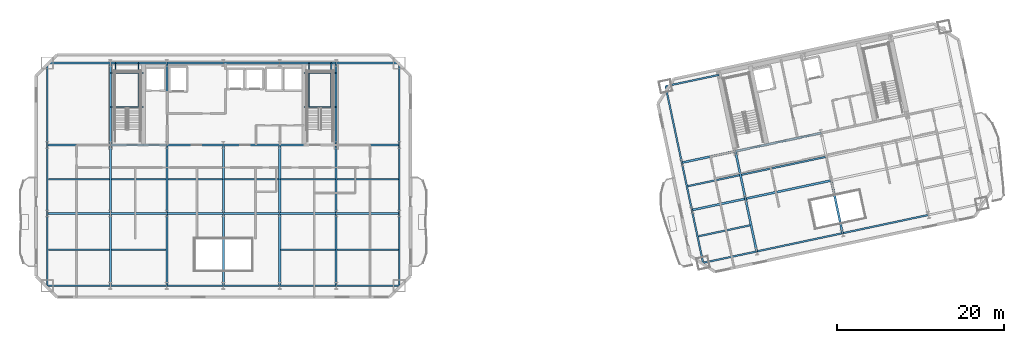
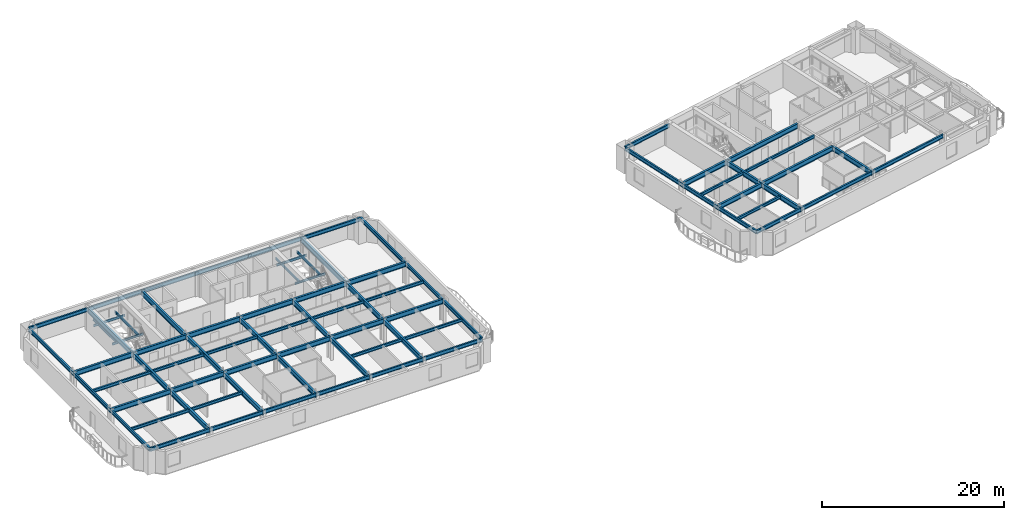
# One storey, part 3 of 13: 78 beams.
"""IFC4 building model written with IfcOpenShell, lengths in metres."""

import ifcopenshell
import ifcopenshell.guid

model = None  # the IFC model being written
_history = None  # IfcOwnerHistory: only IFC2X3 demands one
_inside = {}  # id of a spatial element -> (the spatial element, [elements in it])
_under = {}  # id of a project, library or spatial element -> (it, [spatial elements below it])
_declared = {}  # id of a project -> (the project, [libraries it declares])
_typed = {}  # id of a type object -> (the type object, [elements of that type])
_made_of = {}  # id of a material, layer set ... -> (it, [elements and type objects made of it])


def new_model(schema):
    """Start an empty IFC model of exactly this schema.

    Asked for "IFC4X3", IfcOpenShell would pick the latest addendum, in which some entities
    have other attributes; the version numbers below select the first issue.
    IFC2X3 requires an IfcOwnerHistory on every rooted entity: one is made here for all.
    """
    global model, _history
    if schema == "IFC4X3":
        model = ifcopenshell.file(schema_version=(4, 3, 0, 0))
    else:
        model = ifcopenshell.file(schema=schema)
    _inside.clear()
    _under.clear()
    _declared.clear()
    _typed.clear()
    _made_of.clear()
    _history = None
    if model.schema == "IFC2X3":
        org = make("IfcOrganization", Name="unknown")
        user = make(
            "IfcPersonAndOrganization",
            ThePerson=make("IfcPerson", FamilyName="unknown"),
            TheOrganization=org,
        )
        app = make(
            "IfcApplication",
            ApplicationDeveloper=org,
            Version="unknown",
            ApplicationFullName="unknown",
            ApplicationIdentifier="unknown",
        )
        _history = make(
            "IfcOwnerHistory",
            OwningUser=user,
            OwningApplication=app,
            ChangeAction="ADDED",
            CreationDate=0,
        )
    return model


def make(cls, **values):
    """One entity of the class cls with the attributes given. An attribute that is None is left unset."""
    return model.create_entity(
        cls, **{name: value for name, value in values.items() if value is not None}
    )


def rooted(cls, **values):
    """An entity with a GlobalId (a new one), such as an element, a storey or a relation."""
    return make(cls, GlobalId=ifcopenshell.guid.new(), OwnerHistory=_history, **values)


def si_unit(unit_type, name, prefix=None):
    """IfcSIUnit, for example si_unit("LENGTHUNIT", "METRE", prefix="MILLI")."""
    return make("IfcSIUnit", UnitType=unit_type, Prefix=prefix, Name=name)


def assignment(units):
    """IfcUnitAssignment: the units of a project."""
    return None if units is None else make("IfcUnitAssignment", Units=units)


def point(xyz):
    """IfcCartesianPoint."""
    return None if xyz is None else make("IfcCartesianPoint", Coordinates=xyz)


def direction(xyz):
    """IfcDirection."""
    return None if xyz is None else make("IfcDirection", DirectionRatios=xyz)


def frame(location, z_axis=None, x_axis=None):
    """IfcAxis2Placement3D, a coordinate frame: its origin and axes. An axis left out is left unset."""
    return make(
        "IfcAxis2Placement3D",
        Location=point(location),
        Axis=direction(z_axis),
        RefDirection=direction(x_axis),
    )


def frame_2d(location, x_axis=None):
    """IfcAxis2Placement2D, a coordinate frame in the plane: its origin and x axis."""
    return make(
        "IfcAxis2Placement2D", Location=point(location), RefDirection=direction(x_axis)
    )


def origin():
    """The frame at (0, 0, 0) with its axes left unset."""
    return frame((0.0, 0.0, 0.0))


def origin_2d():
    """The frame at (0, 0) in the plane with its x axis left unset."""
    return frame_2d((0.0, 0.0))


def place(relative_to, where):
    """IfcLocalPlacement: puts the frame where relative to a parent placement (None: the world)."""
    return make(
        "IfcLocalPlacement", PlacementRelTo=relative_to, RelativePlacement=where
    )


def context(
    kind, dimensions, precision=None, world=None, true_north=None, identifier=None
):
    """IfcGeometricRepresentationContext, for example the 3D "Model" context."""
    return make(
        "IfcGeometricRepresentationContext",
        ContextIdentifier=identifier,
        ContextType=kind,
        CoordinateSpaceDimension=dimensions,
        Precision=precision,
        WorldCoordinateSystem=world,
        TrueNorth=true_north,
    )


def subcontext(parent, identifier, kind, view, scale=None):
    """IfcGeometricRepresentationSubContext, for example "Body" below "Model"."""
    return make(
        "IfcGeometricRepresentationSubContext",
        ContextIdentifier=identifier,
        ContextType=kind,
        ParentContext=parent,
        TargetScale=scale,
        TargetView=view,
    )


def project(units=None, contexts=None):
    """IfcProject with its units and contexts."""
    return rooted(
        "IfcProject",
        Name="project",
        RepresentationContexts=contexts,
        UnitsInContext=assignment(units),
    )


def spatial(cls, under=None, at=None, **own):
    """A site, building, storey or space (cls), placed at a placement, below another one or the project."""
    s = rooted(cls, ObjectPlacement=at, **own)
    if under is not None:
        _under.setdefault(under.id(), (under, []))[1].append(s)
    return s


def profile(cls, at=None, kind="AREA", **sizes):
    """A parametric profile (cls). Its sizes go by their IFC names, for example OverallWidth=200.0."""
    return make(cls, ProfileType=kind, Position=at, **sizes)


def i_section(**sizes):
    """IfcIShapeProfileDef."""
    return profile("IfcIShapeProfileDef", **sizes)


def extrude(swept, where, along, depth):
    """IfcExtrudedAreaSolid: the profile swept, set in the frame where, extruded along a direction by depth."""
    return make(
        "IfcExtrudedAreaSolid",
        SweptArea=swept,
        Position=where,
        ExtrudedDirection=direction(along),
        Depth=depth,
    )


def shape(context_of_items, identifier, shape_type, items):
    """IfcShapeRepresentation: the items that make up one representation, for example the "Body"."""
    return make(
        "IfcShapeRepresentation",
        ContextOfItems=context_of_items,
        RepresentationIdentifier=identifier,
        RepresentationType=shape_type,
        Items=items,
    )


def material(Name=None, Category=None):
    """IfcMaterial."""
    return make("IfcMaterial", Name=Name, Category=Category)


def material_profile(
    of_material, cross_section, Name=None, Category=None, Priority=None
):
    """IfcMaterialProfile: a cross section and its material."""
    return make(
        "IfcMaterialProfile",
        Name=Name,
        Material=of_material,
        Profile=cross_section,
        Priority=Priority,
        Category=Category,
    )


def profile_set(profiles, Name=None, composite=None):
    """IfcMaterialProfileSet."""
    return make(
        "IfcMaterialProfileSet",
        Name=Name,
        MaterialProfiles=profiles,
        CompositeProfile=composite,
    )


def made_of(thing, what):
    """Note that an element or type object is made of a material, layer set ...; save() writes the relation."""
    if what is not None:
        _made_of.setdefault(what.id(), (what, []))[1].append(thing)
    return thing


def type_object(cls, material=None, **own):
    """A type object (cls), such as IfcWallType, which elements share."""
    return made_of(rooted(cls, **own), material)


def element(
    cls,
    number,
    at=None,
    inside=None,
    cuts=None,
    type_object=None,
    material=None,
    context=None,
    identifier="Body",
    shape_type=None,
    held_by="IfcProductDefinitionShape",
    body=None,
    shapes=None,
    **own,
):
    """One element of the class cls, such as IfcWall. Its Tag is "e" and its number.

    at: its placement. inside: the storey or other place that contains it. cuts: it is an
    opening in that element (IfcRelVoidsElement). A single representation is given by context,
    identifier, shape_type and body (its items); several are given by shapes. held_by: the class
    of the entity that holds the representations. save() writes the other relations.
    """
    e = rooted(cls, Tag="e%d" % number, ObjectPlacement=at, **own)
    if body is not None:
        shapes = [shape(context, identifier, shape_type, body)]
    if shapes is not None:
        e.Representation = make(held_by, Representations=shapes)
    if inside is not None:
        _inside.setdefault(inside.id(), (inside, []))[1].append(e)
    if cuts is not None:
        rooted(
            "IfcRelVoidsElement", RelatingBuildingElement=cuts, RelatedOpeningElement=e
        )
    if type_object is not None:
        _typed.setdefault(type_object.id(), (type_object, []))[1].append(e)
    return made_of(e, material)


def aggregate(whole, parts):
    """IfcRelAggregates: a whole, such as a stair, and the parts it consists of."""
    return rooted("IfcRelAggregates", RelatingObject=whole, RelatedObjects=parts)


def save(model, path):
    """Write the relations noted so far, then the file.

    IfcRelAggregates (storeys below a building ...), IfcRelContainedInSpatialStructure (elements
    in a storey), IfcRelDefinesByType, IfcRelAssociatesMaterial and IfcRelDeclares: one each for
    every whole, place, type object, material and project.
    """
    for whole, parts in _under.values():
        aggregate(whole, parts)
    for where, things in _inside.values():
        rooted(
            "IfcRelContainedInSpatialStructure",
            RelatedElements=things,
            RelatingStructure=where,
        )
    for kind, things in _typed.values():
        rooted("IfcRelDefinesByType", RelatedObjects=things, RelatingType=kind)
    for what, things in _made_of.values():
        rooted("IfcRelAssociatesMaterial", RelatedObjects=things, RelatingMaterial=what)
    for by, libraries in _declared.values():
        rooted("IfcRelDeclares", RelatingContext=by, RelatedDefinitions=libraries)
    model.write(path)


model = new_model("IFC4")

# Units and contexts
model_context = context("Model", 3, precision=1e-05, world=origin(), true_north=direction((0.0, 1.0)))
body_context = subcontext(model_context, "Body", "Model", "MODEL_VIEW")
ifc_project = project(units=[si_unit("LENGTHUNIT", "METRE"), si_unit("AREAUNIT", "SQUARE_METRE"), si_unit("VOLUMEUNIT", "CUBIC_METRE"), si_unit("PLANEANGLEUNIT", "RADIAN"), si_unit("MASSUNIT", "GRAM", prefix="KILO")], contexts=[model_context])

# Site, building, storey
site_placement = place(None, origin())
site = spatial("IfcSite", under=ifc_project, at=site_placement, CompositionType="ELEMENT")
building_placement = place(site_placement, origin())
building = spatial("IfcBuilding", under=site, at=building_placement, Name="Haevon Station Towers", CompositionType="ELEMENT")
storey_placement = place(building_placement, frame((0.0, 0.0, 126.300048828125)))
storey = spatial("IfcBuildingStorey", under=building, at=storey_placement, Name="L34", CompositionType="ELEMENT", Elevation=126.300048828125)

# Beams
ifc_material = material(Name="Steel S355", Category="steel")
ifc_material_profile_1 = material_profile(ifc_material, i_section(OverallWidth=0.25, OverallDepth=0.64990234375, WebThickness=0.012939453125, FlangeThickness=0.02197265625, at=origin_2d()), Name="H-650x250x13x22")
ifc_profile_set_1 = profile_set([ifc_material_profile_1], Name="Steel S355")
beam_type_1 = type_object("IfcBeamType", Name="BM-G650", PredefinedType="BEAM", material=ifc_profile_set_1)
beam_1_placement = place(storey_placement, frame((16.449951171875, 30.0, 2.724853515625), z_axis=(1.0, 0.0, 0.0), x_axis=(0.0, 1.0, 0.0)))
element("IfcBeam", 1, at=beam_1_placement, inside=storey, type_object=beam_type_1, Name="BM-T1U-L34-02-01", PredefinedType="BEAM", context=body_context, shape_type="SweptSolid", body=[
    extrude(i_section(OverallWidth=0.25, OverallDepth=0.64990234375, WebThickness=0.012939453125, FlangeThickness=0.02197265625, at=origin_2d()), origin(), (0.0, 0.0, 1.0), 7.550048828125),
])
for number, where, z_axis, x_axis, name in (
    (2, (24.0, 30.0, 2.724853515625), (1.0, 0.0, 0.0), (0.0, 1.0, 0.0), "BM-T1U-L34-02-02"),
    (3, (30.75, 30.0, 2.724853515625), (1.0, 0.0, 0.0), (0.0, 1.0, 0.0), "BM-T1U-L34-02-03"),
    (4, (37.5, 30.0, 2.724853515625), (1.0, 0.0, 0.0), (0.0, 1.0, 0.0), "BM-T1U-L34-02-04"),
    (5, (44.25, 30.0, 2.724853515625), (1.0, 0.0, 0.0), (0.0, 1.0, 0.0), "BM-T1U-L34-02-05"),
):
    element("IfcBeam", number, at=place(storey_placement, frame(where, z_axis=z_axis, x_axis=x_axis)), inside=storey, type_object=beam_type_1, Name=name, PredefinedType="BEAM", context=body_context, shape_type="SweptSolid", body=[
        extrude(i_section(OverallWidth=0.25, OverallDepth=0.64990234375, WebThickness=0.012939453125, FlangeThickness=0.02197265625, at=origin_2d()), origin(), (0.0, 0.0, 1.0), 6.75),
    ])
for number, where, z_axis, x_axis, name in (
    (6, (51.0, 30.0, 2.724853515625), (1.0, 0.0, 0.0), (0.0, 1.0, 0.0), "BM-T1U-L34-02-06"),
    (7, (16.449951171875, 38.199951171875, 2.724853515625), (1.0, 0.0, 0.0), (0.0, 1.0, 0.0), "BM-T1U-L34-03-01"),
):
    element("IfcBeam", number, at=place(storey_placement, frame(where, z_axis=z_axis, x_axis=x_axis)), inside=storey, type_object=beam_type_1, Name=name, PredefinedType="BEAM", context=body_context, shape_type="SweptSolid", body=[
        extrude(i_section(OverallWidth=0.25, OverallDepth=0.64990234375, WebThickness=0.012939453125, FlangeThickness=0.02197265625, at=origin_2d()), origin(), (0.0, 0.0, 1.0), 7.550048828125),
    ])
for number, where, z_axis, x_axis, name in (
    (8, (24.0, 38.199951171875, 2.724853515625), (1.0, 0.0, 0.0), (0.0, 1.0, 0.0), "BM-T1U-L34-03-02"),
    (9, (30.75, 38.199951171875, 2.724853515625), (1.0, 0.0, 0.0), (0.0, 1.0, 0.0), "BM-T1U-L34-03-03"),
    (10, (37.5, 38.199951171875, 2.724853515625), (1.0, 0.0, 0.0), (0.0, 1.0, 0.0), "BM-T1U-L34-03-04"),
    (11, (44.25, 38.199951171875, 2.724853515625), (1.0, 0.0, 0.0), (0.0, 1.0, 0.0), "BM-T1U-L34-03-05"),
):
    element("IfcBeam", number, at=place(storey_placement, frame(where, z_axis=z_axis, x_axis=x_axis)), inside=storey, type_object=beam_type_1, Name=name, PredefinedType="BEAM", context=body_context, shape_type="SweptSolid", body=[
        extrude(i_section(OverallWidth=0.25, OverallDepth=0.64990234375, WebThickness=0.012939453125, FlangeThickness=0.02197265625, at=origin_2d()), origin(), (0.0, 0.0, 1.0), 6.75),
    ])
beam_2_placement = place(storey_placement, frame((51.0, 38.199951171875, 2.724853515625), z_axis=(1.0, 0.0, 0.0), x_axis=(0.0, 1.0, 0.0)))
element("IfcBeam", 12, at=beam_2_placement, inside=storey, type_object=beam_type_1, Name="BM-T1U-L34-03-06", PredefinedType="BEAM", context=body_context, shape_type="SweptSolid", body=[
    extrude(i_section(OverallWidth=0.25, OverallDepth=0.64990234375, WebThickness=0.012939453125, FlangeThickness=0.02197265625, at=origin_2d()), origin(), (0.0, 0.0, 1.0), 7.550048828125),
])
beam_3_placement = place(storey_placement, frame((24.0, 21.35009765625, 2.724853515625), z_axis=(0.0, 1.0, 0.0), x_axis=(-1.0, 0.0, 0.0)))
element("IfcBeam", 13, at=beam_3_placement, inside=storey, type_object=beam_type_1, Name="BM-T1V-L34-02-01", PredefinedType="BEAM", context=body_context, shape_type="SweptSolid", body=[
    extrude(i_section(OverallWidth=0.25, OverallDepth=0.64990234375, WebThickness=0.012939453125, FlangeThickness=0.02197265625, at=origin_2d()), origin(), (0.0, 0.0, 1.0), 8.64990234375),
])
beam_4_placement = place(storey_placement, frame((24.0, 30.0, 2.724853515625), z_axis=(0.0, 1.0, 0.0), x_axis=(-1.0, 0.0, 0.0)))
element("IfcBeam", 14, at=beam_4_placement, inside=storey, type_object=beam_type_1, Name="BM-T1V-L34-02-02", PredefinedType="BEAM", context=body_context, shape_type="SweptSolid", body=[
    extrude(i_section(OverallWidth=0.25, OverallDepth=0.64990234375, WebThickness=0.012939453125, FlangeThickness=0.02197265625, at=origin_2d()), origin(), (0.0, 0.0, 1.0), 8.199951171875),
])
beam_5_placement = place(storey_placement, frame((24.0, 38.199951171875, 2.724853515625), z_axis=(0.0, 1.0, 0.0), x_axis=(-1.0, 0.0, 0.0)))
element("IfcBeam", 15, at=beam_5_placement, inside=storey, type_object=beam_type_1, Name="BM-T1V-L34-02-03", PredefinedType="BEAM", context=body_context, shape_type="SweptSolid", body=[
    extrude(i_section(OverallWidth=0.25, OverallDepth=0.64990234375, WebThickness=0.012939453125, FlangeThickness=0.02197265625, at=origin_2d()), origin(), (0.0, 0.0, 1.0), 9.800048828125),
])
beam_6_placement = place(storey_placement, frame((30.75, 21.35009765625, 2.724853515625), z_axis=(0.0, 1.0, 0.0), x_axis=(-1.0, 0.0, 0.0)))
element("IfcBeam", 16, at=beam_6_placement, inside=storey, type_object=beam_type_1, Name="BM-T1V-L34-03-01", PredefinedType="BEAM", context=body_context, shape_type="SweptSolid", body=[
    extrude(i_section(OverallWidth=0.25, OverallDepth=0.64990234375, WebThickness=0.012939453125, FlangeThickness=0.02197265625, at=origin_2d()), origin(), (0.0, 0.0, 1.0), 8.64990234375),
])
beam_7_placement = place(storey_placement, frame((30.75, 30.0, 2.724853515625), z_axis=(0.0, 1.0, 0.0), x_axis=(-1.0, 0.0, 0.0)))
element("IfcBeam", 17, at=beam_7_placement, inside=storey, type_object=beam_type_1, Name="BM-T1V-L34-03-02", PredefinedType="BEAM", context=body_context, shape_type="SweptSolid", body=[
    extrude(i_section(OverallWidth=0.25, OverallDepth=0.64990234375, WebThickness=0.012939453125, FlangeThickness=0.02197265625, at=origin_2d()), origin(), (0.0, 0.0, 1.0), 8.199951171875),
])
beam_8_placement = place(storey_placement, frame((30.75, 38.199951171875, 2.724853515625), z_axis=(0.0, 1.0, 0.0), x_axis=(-1.0, 0.0, 0.0)))
element("IfcBeam", 18, at=beam_8_placement, inside=storey, type_object=beam_type_1, Name="BM-T1V-L34-03-03", PredefinedType="BEAM", context=body_context, shape_type="SweptSolid", body=[
    extrude(i_section(OverallWidth=0.25, OverallDepth=0.64990234375, WebThickness=0.012939453125, FlangeThickness=0.02197265625, at=origin_2d()), origin(), (0.0, 0.0, 1.0), 9.800048828125),
])
beam_9_placement = place(storey_placement, frame((37.5, 21.35009765625, 2.724853515625), z_axis=(0.0, 1.0, 0.0), x_axis=(-1.0, 0.0, 0.0)))
element("IfcBeam", 19, at=beam_9_placement, inside=storey, type_object=beam_type_1, Name="BM-T1V-L34-04-01", PredefinedType="BEAM", context=body_context, shape_type="SweptSolid", body=[
    extrude(i_section(OverallWidth=0.25, OverallDepth=0.64990234375, WebThickness=0.012939453125, FlangeThickness=0.02197265625, at=origin_2d()), origin(), (0.0, 0.0, 1.0), 8.64990234375),
])
beam_10_placement = place(storey_placement, frame((37.5, 30.0, 2.724853515625), z_axis=(0.0, 1.0, 0.0), x_axis=(-1.0, 0.0, 0.0)))
element("IfcBeam", 20, at=beam_10_placement, inside=storey, type_object=beam_type_1, Name="BM-T1V-L34-04-02", PredefinedType="BEAM", context=body_context, shape_type="SweptSolid", body=[
    extrude(i_section(OverallWidth=0.25, OverallDepth=0.64990234375, WebThickness=0.012939453125, FlangeThickness=0.02197265625, at=origin_2d()), origin(), (0.0, 0.0, 1.0), 8.199951171875),
])
beam_11_placement = place(storey_placement, frame((44.25, 21.35009765625, 2.724853515625), z_axis=(0.0, 1.0, 0.0), x_axis=(-1.0, 0.0, 0.0)))
element("IfcBeam", 21, at=beam_11_placement, inside=storey, type_object=beam_type_1, Name="BM-T1V-L34-05-01", PredefinedType="BEAM", context=body_context, shape_type="SweptSolid", body=[
    extrude(i_section(OverallWidth=0.25, OverallDepth=0.64990234375, WebThickness=0.012939453125, FlangeThickness=0.02197265625, at=origin_2d()), origin(), (0.0, 0.0, 1.0), 8.64990234375),
])
beam_12_placement = place(storey_placement, frame((44.25, 30.0, 2.724853515625), z_axis=(0.0, 1.0, 0.0), x_axis=(-1.0, 0.0, 0.0)))
element("IfcBeam", 22, at=beam_12_placement, inside=storey, type_object=beam_type_1, Name="BM-T1V-L34-05-02", PredefinedType="BEAM", context=body_context, shape_type="SweptSolid", body=[
    extrude(i_section(OverallWidth=0.25, OverallDepth=0.64990234375, WebThickness=0.012939453125, FlangeThickness=0.02197265625, at=origin_2d()), origin(), (0.0, 0.0, 1.0), 8.199951171875),
])
beam_13_placement = place(storey_placement, frame((51.0, 21.35009765625, 2.724853515625), z_axis=(0.0, 1.0, 0.0), x_axis=(-1.0, 0.0, 0.0)))
element("IfcBeam", 23, at=beam_13_placement, inside=storey, type_object=beam_type_1, Name="BM-T1V-L34-06-01", PredefinedType="BEAM", context=body_context, shape_type="SweptSolid", body=[
    extrude(i_section(OverallWidth=0.25, OverallDepth=0.64990234375, WebThickness=0.012939453125, FlangeThickness=0.02197265625, at=origin_2d()), origin(), (0.0, 0.0, 1.0), 8.64990234375),
])
beam_14_placement = place(storey_placement, frame((51.0, 30.0, 2.724853515625), z_axis=(0.0, 1.0, 0.0), x_axis=(-1.0, 0.0, 0.0)))
element("IfcBeam", 24, at=beam_14_placement, inside=storey, type_object=beam_type_1, Name="BM-T1V-L34-06-02", PredefinedType="BEAM", context=body_context, shape_type="SweptSolid", body=[
    extrude(i_section(OverallWidth=0.25, OverallDepth=0.64990234375, WebThickness=0.012939453125, FlangeThickness=0.02197265625, at=origin_2d()), origin(), (0.0, 0.0, 1.0), 8.199951171875),
])
beam_15_placement = place(storey_placement, frame((51.0, 38.199951171875, 2.724853515625), z_axis=(0.0, 1.0, 0.0), x_axis=(-1.0, 0.0, 0.0)))
element("IfcBeam", 25, at=beam_15_placement, inside=storey, type_object=beam_type_1, Name="BM-T1V-L34-06-03", PredefinedType="BEAM", context=body_context, shape_type="SweptSolid", body=[
    extrude(i_section(OverallWidth=0.25, OverallDepth=0.64990234375, WebThickness=0.012939453125, FlangeThickness=0.02197265625, at=origin_2d()), origin(), (0.0, 0.0, 1.0), 9.800048828125),
])
beam_16_placement = place(storey_placement, frame((93.55126953125, 30.4072265625, 2.724853515625), z_axis=(0.978148524343, 0.207907345532, 0.0), x_axis=(-0.207907345532, 0.978148524343, 0.0)))
element("IfcBeam", 26, at=beam_16_placement, inside=storey, type_object=beam_type_1, Name="BM-T2U-L34-02-01", PredefinedType="BEAM", context=body_context, shape_type="SweptSolid", body=[
    extrude(i_section(OverallWidth=0.25, OverallDepth=0.64990234375, WebThickness=0.012939453125, FlangeThickness=0.02197265625, at=origin_2d()), origin(), (0.0, 0.0, 1.0), 6.550048828125),
])
beam_17_placement = place(storey_placement, frame((99.958251953125, 31.76904296875, 2.724853515625), z_axis=(0.978146794194, 0.207915485254, 0.0), x_axis=(-0.207915485254, 0.978146794194, 0.0)))
element("IfcBeam", 27, at=beam_17_placement, inside=storey, type_object=beam_type_1, Name="BM-T2U-L34-02-02", PredefinedType="BEAM", context=body_context, shape_type="SweptSolid", body=[
    extrude(i_section(OverallWidth=0.25, OverallDepth=0.64990234375, WebThickness=0.012939453125, FlangeThickness=0.02197265625, at=origin_2d()), origin(), (0.0, 0.0, 1.0), 10.5),
])
beam_18_placement = place(storey_placement, frame((92.345458984375, 36.08056640625, 2.724853515625), z_axis=(0.978148524343, 0.207907345532, 0.0), x_axis=(-0.207907345532, 0.978148524343, 0.0)))
element("IfcBeam", 28, at=beam_18_placement, inside=storey, type_object=beam_type_1, Name="BM-T2U-L34-03-01", PredefinedType="BEAM", context=body_context, shape_type="SweptSolid", body=[
    extrude(i_section(OverallWidth=0.25, OverallDepth=0.64990234375, WebThickness=0.012939453125, FlangeThickness=0.02197265625, at=origin_2d()), origin(), (0.0, 0.0, 1.0), 6.550048828125),
])
beam_19_placement = place(storey_placement, frame((98.75244140625, 37.4423828125, 2.724853515625), z_axis=(0.978146794194, 0.207915485254, 0.0), x_axis=(-0.207915485254, 0.978146794194, 0.0)))
element("IfcBeam", 29, at=beam_19_placement, inside=storey, type_object=beam_type_1, Name="BM-T2U-L34-03-02", PredefinedType="BEAM", context=body_context, shape_type="SweptSolid", body=[
    extrude(i_section(OverallWidth=0.25, OverallDepth=0.64990234375, WebThickness=0.012939453125, FlangeThickness=0.02197265625, at=origin_2d()), origin(), (0.0, 0.0, 1.0), 10.5),
])
beam_20_placement = place(storey_placement, frame((101.29931640625, 25.460205078125, 2.724853515625), z_axis=(-0.207923493292, 0.978145091966, 0.0), x_axis=(-0.978145091966, -0.207923493292, 0.0)))
element("IfcBeam", 30, at=beam_20_placement, inside=storey, type_object=beam_type_1, Name="BM-T2V-L34-02-01", PredefinedType="BEAM", context=body_context, shape_type="SweptSolid", body=[
    extrude(i_section(OverallWidth=0.25, OverallDepth=0.64990234375, WebThickness=0.012939453125, FlangeThickness=0.02197265625, at=origin_2d()), origin(), (0.0, 0.0, 1.0), 6.44970703125),
])
beam_21_placement = place(storey_placement, frame((99.958251953125, 31.76904296875, 2.724853515625), z_axis=(-0.207896009217, 0.97815093383, 0.0), x_axis=(-0.97815093383, -0.207896009217, 0.0)))
element("IfcBeam", 31, at=beam_21_placement, inside=storey, type_object=beam_type_1, Name="BM-T2V-L34-02-02", PredefinedType="BEAM", context=body_context, shape_type="SweptSolid", body=[
    extrude(i_section(OverallWidth=0.25, OverallDepth=0.64990234375, WebThickness=0.012939453125, FlangeThickness=0.02197265625, at=origin_2d()), origin(), (0.0, 0.0, 1.0), 5.800048828125),
])
beam_22_placement = place(storey_placement, frame((111.56982421875, 27.64306640625, 2.724853515625), z_axis=(-0.207915795165, 0.978146728319, 0.0), x_axis=(-0.978146728319, -0.207915795165, 0.0)))
element("IfcBeam", 32, at=beam_22_placement, inside=storey, type_object=beam_type_1, Name="BM-T2V-L34-03-01", PredefinedType="BEAM", context=body_context, shape_type="SweptSolid", body=[
    extrude(i_section(OverallWidth=0.25, OverallDepth=0.64990234375, WebThickness=0.012939453125, FlangeThickness=0.02197265625, at=origin_2d()), origin(), (0.0, 0.0, 1.0), 6.449951171875),
])
ifc_material_profile_2 = material_profile(ifc_material, i_section(OverallWidth=0.199951171875, OverallDepth=0.39990234375, WebThickness=0.008056640625, FlangeThickness=0.012939453125, at=origin_2d()), Name="H-400x200x8x13")
ifc_profile_set_2 = profile_set([ifc_material_profile_2], Name="Steel S355")
beam_type_2 = type_object("IfcBeamType", Name="BM-J400", PredefinedType="JOIST", material=ifc_profile_set_2)
beam_23_placement = place(storey_placement, frame((16.56005859375, 25.675048828125, 2.849853515625), z_axis=(1.0, 0.0, 0.0), x_axis=(0.0, 1.0, 0.0)))
element("IfcBeam", 33, at=beam_23_placement, inside=storey, type_object=beam_type_2, Name="BM-T1J-L34-01-01", PredefinedType="JOIST", context=body_context, shape_type="SweptSolid", body=[
    extrude(i_section(OverallWidth=0.199951171875, OverallDepth=0.39990234375, WebThickness=0.008056640625, FlangeThickness=0.012939453125, at=origin_2d()), origin(), (0.0, 0.0, 1.0), 7.329833984375),
])
for number, where, z_axis, x_axis, name in (
    (34, (24.110107421875, 25.675048828125, 2.849853515625), (1.0, 0.0, 0.0), (0.0, 1.0, 0.0), "BM-T1J-L34-01-02"),
    (35, (44.360107421875, 25.675048828125, 2.849853515625), (1.0, 0.0, 0.0), (0.0, 1.0, 0.0), "BM-T1J-L34-01-05"),
):
    element("IfcBeam", number, at=place(storey_placement, frame(where, z_axis=z_axis, x_axis=x_axis)), inside=storey, type_object=beam_type_2, Name=name, PredefinedType="JOIST", context=body_context, shape_type="SweptSolid", body=[
        extrude(i_section(OverallWidth=0.199951171875, OverallDepth=0.39990234375, WebThickness=0.008056640625, FlangeThickness=0.012939453125, at=origin_2d()), origin(), (0.0, 0.0, 1.0), 6.52978515625),
    ])
for number, where, z_axis, x_axis, name in (
    (36, (51.110107421875, 25.675048828125, 2.849853515625), (1.0, 0.0, 0.0), (0.0, 1.0, 0.0), "BM-T1J-L34-01-06"),
    (37, (16.56005859375, 34.10009765625, 2.849853515625), (1.0, 0.0, 0.0), (0.0, 1.0, 0.0), "BM-T1J-L34-02-01"),
):
    element("IfcBeam", number, at=place(storey_placement, frame(where, z_axis=z_axis, x_axis=x_axis)), inside=storey, type_object=beam_type_2, Name=name, PredefinedType="JOIST", context=body_context, shape_type="SweptSolid", body=[
        extrude(i_section(OverallWidth=0.199951171875, OverallDepth=0.39990234375, WebThickness=0.008056640625, FlangeThickness=0.012939453125, at=origin_2d()), origin(), (0.0, 0.0, 1.0), 7.329833984375),
    ])
for number, where, z_axis, x_axis, name in (
    (38, (24.110107421875, 34.10009765625, 2.849853515625), (1.0, 0.0, 0.0), (0.0, 1.0, 0.0), "BM-T1J-L34-02-02"),
    (39, (30.860107421875, 34.10009765625, 2.849853515625), (1.0, 0.0, 0.0), (0.0, 1.0, 0.0), "BM-T1J-L34-02-03"),
    (40, (37.610107421875, 34.10009765625, 2.849853515625), (1.0, 0.0, 0.0), (0.0, 1.0, 0.0), "BM-T1J-L34-02-04"),
    (41, (44.360107421875, 34.10009765625, 2.849853515625), (1.0, 0.0, 0.0), (0.0, 1.0, 0.0), "BM-T1J-L34-02-05"),
):
    element("IfcBeam", number, at=place(storey_placement, frame(where, z_axis=z_axis, x_axis=x_axis)), inside=storey, type_object=beam_type_2, Name=name, PredefinedType="JOIST", context=body_context, shape_type="SweptSolid", body=[
        extrude(i_section(OverallWidth=0.199951171875, OverallDepth=0.39990234375, WebThickness=0.008056640625, FlangeThickness=0.012939453125, at=origin_2d()), origin(), (0.0, 0.0, 1.0), 6.52978515625),
    ])
beam_24_placement = place(storey_placement, frame((51.110107421875, 34.10009765625, 2.849853515625), z_axis=(1.0, 0.0, 0.0), x_axis=(0.0, 1.0, 0.0)))
element("IfcBeam", 42, at=beam_24_placement, inside=storey, type_object=beam_type_2, Name="BM-T1J-L34-02-06", PredefinedType="JOIST", context=body_context, shape_type="SweptSolid", body=[
    extrude(i_section(OverallWidth=0.199951171875, OverallDepth=0.39990234375, WebThickness=0.008056640625, FlangeThickness=0.012939453125, at=origin_2d()), origin(), (0.0, 0.0, 1.0), 7.329833984375),
])
beam_25_placement = place(storey_placement, frame((94.32958984375, 27.275634765625, 2.849853515625), z_axis=(0.978144831517, 0.207924718533, 0.0), x_axis=(-0.207924718533, 0.978144831517, 0.0)))
element("IfcBeam", 43, at=beam_25_placement, inside=storey, type_object=beam_type_2, Name="BM-T2J-L34-01-01", PredefinedType="JOIST", context=body_context, shape_type="SweptSolid", body=[
    extrude(i_section(OverallWidth=0.199951171875, OverallDepth=0.39990234375, WebThickness=0.008056640625, FlangeThickness=0.012939453125, at=origin_2d()), origin(), (0.0, 0.0, 1.0), 6.330078125),
])
beam_26_placement = place(storey_placement, frame((93.055908203125, 33.266845703125, 2.849853515625), z_axis=(0.978146498858, 0.207916874669, 0.0), x_axis=(-0.207916874669, 0.978146498858, 0.0)))
element("IfcBeam", 44, at=beam_26_placement, inside=storey, type_object=beam_type_2, Name="BM-T2J-L34-02-01", PredefinedType="JOIST", context=body_context, shape_type="SweptSolid", body=[
    extrude(i_section(OverallWidth=0.199951171875, OverallDepth=0.39990234375, WebThickness=0.008056640625, FlangeThickness=0.012939453125, at=origin_2d()), origin(), (0.0, 0.0, 1.0), 6.330322265625),
])
beam_27_placement = place(storey_placement, frame((99.462890625, 34.628662109375, 2.849853515625), z_axis=(0.978150339653, 0.207898804801, 0.0), x_axis=(-0.207898804801, 0.978150339653, 0.0)))
element("IfcBeam", 45, at=beam_27_placement, inside=storey, type_object=beam_type_2, Name="BM-T2J-L34-02-02", PredefinedType="JOIST", context=body_context, shape_type="SweptSolid", body=[
    extrude(i_section(OverallWidth=0.199951171875, OverallDepth=0.39990234375, WebThickness=0.008056640625, FlangeThickness=0.012939453125, at=origin_2d()), origin(), (0.0, 0.0, 1.0), 10.280029296875),
])
ifc_material_profile_3 = material_profile(ifc_material, i_section(OverallWidth=0.14990234375, OverallDepth=0.300048828125, WebThickness=0.006591796875, FlangeThickness=0.009033203125, at=origin_2d()), Name="H-300x150x6.5x9")
ifc_profile_set_3 = profile_set([ifc_material_profile_3], Name="Steel S355")
beam_type_3 = type_object("IfcBeamType", Name="BM-LIN300", PredefinedType="LINTEL", material=ifc_profile_set_3)
for number, where, z_axis, x_axis, name in (
    (46, (24.0, 42.743896484375, 1.300048828125), (1.0, 0.0, 0.0), (0.0, 1.0, 0.0), "BM-ST1L-L34-1-S"),
    (47, (24.0, 46.820068359375, 1.300048828125), (1.0, 0.0, 0.0), (0.0, 1.0, 0.0), "BM-ST1L-L34-1-N"),
):
    element("IfcBeam", number, at=place(storey_placement, frame(where, z_axis=z_axis, x_axis=x_axis)), inside=storey, type_object=beam_type_3, Name=name, PredefinedType="LINTEL", context=body_context, shape_type="SweptSolid", body=[
        extrude(i_section(OverallWidth=0.14990234375, OverallDepth=0.300048828125, WebThickness=0.006591796875, FlangeThickness=0.009033203125, at=origin_2d()), origin(), (0.0, 0.0, 1.0), 3.949951171875),
    ])
for number, where, z_axis, x_axis, name in (
    (48, (24.60009765625, 42.743896484375, 1.300048828125), (0.0, 1.0, 0.0), (-1.0, 0.0, 0.0), "BM-ST1L-L34-1-W"),
    (49, (27.35009765625, 42.743896484375, 1.300048828125), (0.0, 1.0, 0.0), (-1.0, 0.0, 0.0), "BM-ST1L-L34-1-E"),
):
    element("IfcBeam", number, at=place(storey_placement, frame(where, z_axis=z_axis, x_axis=x_axis)), inside=storey, type_object=beam_type_3, Name=name, PredefinedType="LINTEL", context=body_context, shape_type="SweptSolid", body=[
        extrude(i_section(OverallWidth=0.14990234375, OverallDepth=0.300048828125, WebThickness=0.006591796875, FlangeThickness=0.009033203125, at=origin_2d()), origin(), (0.0, 0.0, 1.0), 5.256103515625),
    ])
for number, where, z_axis, x_axis, name in (
    (50, (47.14990234375, 42.743896484375, 1.300048828125), (1.0, 0.0, 0.0), (0.0, 1.0, 0.0), "BM-ST2L-L34-1-S"),
    (51, (47.14990234375, 46.820068359375, 1.300048828125), (1.0, 0.0, 0.0), (0.0, 1.0, 0.0), "BM-ST2L-L34-1-N"),
):
    element("IfcBeam", number, at=place(storey_placement, frame(where, z_axis=z_axis, x_axis=x_axis)), inside=storey, type_object=beam_type_3, Name=name, PredefinedType="LINTEL", context=body_context, shape_type="SweptSolid", body=[
        extrude(i_section(OverallWidth=0.14990234375, OverallDepth=0.300048828125, WebThickness=0.006591796875, FlangeThickness=0.009033203125, at=origin_2d()), origin(), (0.0, 0.0, 1.0), 3.85009765625),
    ])
for number, where, z_axis, x_axis, name in (
    (52, (47.75, 42.743896484375, 1.300048828125), (0.0, 1.0, 0.0), (-1.0, 0.0, 0.0), "BM-ST2L-L34-1-W"),
    (53, (50.39990234375, 42.743896484375, 1.300048828125), (0.0, 1.0, 0.0), (-1.0, 0.0, 0.0), "BM-ST2L-L34-1-E"),
):
    element("IfcBeam", number, at=place(storey_placement, frame(where, z_axis=z_axis, x_axis=x_axis)), inside=storey, type_object=beam_type_3, Name=name, PredefinedType="LINTEL", context=body_context, shape_type="SweptSolid", body=[
        extrude(i_section(OverallWidth=0.14990234375, OverallDepth=0.300048828125, WebThickness=0.006591796875, FlangeThickness=0.009033203125, at=origin_2d()), origin(), (0.0, 0.0, 1.0), 5.256103515625),
    ])
ifc_material_profile_4 = material_profile(ifc_material, i_section(OverallWidth=0.199951171875, OverallDepth=0.5, WebThickness=0.010009765625, FlangeThickness=0.01611328125, at=origin_2d()), Name="H-500x200x10x16")
ifc_profile_set_4 = profile_set([ifc_material_profile_4], Name="Steel S355")
beam_type_4 = type_object("IfcBeamType", Name="BM-SP500", PredefinedType="SPANDREL", material=ifc_profile_set_4)
beam_28_placement = place(storey_placement, frame((16.449951171875, 21.35009765625, 2.800048828125), z_axis=(1.0, 0.0, 0.0), x_axis=(0.0, 1.0, 0.0)))
element("IfcBeam", 54, at=beam_28_placement, inside=storey, type_object=beam_type_4, Name="BM-T1U-L34-01-01", PredefinedType="SPANDREL", context=body_context, shape_type="SweptSolid", body=[
    extrude(i_section(OverallWidth=0.199951171875, OverallDepth=0.5, WebThickness=0.010009765625, FlangeThickness=0.01611328125, at=origin_2d()), origin(), (0.0, 0.0, 1.0), 7.550048828125),
])
for number, where, z_axis, x_axis, name in (
    (55, (24.0, 21.35009765625, 2.800048828125), (1.0, 0.0, 0.0), (0.0, 1.0, 0.0), "BM-T1U-L34-01-02"),
    (56, (30.75, 21.35009765625, 2.800048828125), (1.0, 0.0, 0.0), (0.0, 1.0, 0.0), "BM-T1U-L34-01-03"),
    (57, (37.5, 21.35009765625, 2.800048828125), (1.0, 0.0, 0.0), (0.0, 1.0, 0.0), "BM-T1U-L34-01-04"),
    (58, (44.25, 21.35009765625, 2.800048828125), (1.0, 0.0, 0.0), (0.0, 1.0, 0.0), "BM-T1U-L34-01-05"),
):
    element("IfcBeam", number, at=place(storey_placement, frame(where, z_axis=z_axis, x_axis=x_axis)), inside=storey, type_object=beam_type_4, Name=name, PredefinedType="SPANDREL", context=body_context, shape_type="SweptSolid", body=[
        extrude(i_section(OverallWidth=0.199951171875, OverallDepth=0.5, WebThickness=0.010009765625, FlangeThickness=0.01611328125, at=origin_2d()), origin(), (0.0, 0.0, 1.0), 6.75),
    ])
for number, where, z_axis, x_axis, name in (
    (59, (51.0, 21.35009765625, 2.800048828125), (1.0, 0.0, 0.0), (0.0, 1.0, 0.0), "BM-T1U-L34-01-06"),
    (60, (16.449951171875, 48.0, 2.800048828125), (1.0, 0.0, 0.0), (0.0, 1.0, 0.0), "BM-T1U-L34-04-01"),
):
    element("IfcBeam", number, at=place(storey_placement, frame(where, z_axis=z_axis, x_axis=x_axis)), inside=storey, type_object=beam_type_4, Name=name, PredefinedType="SPANDREL", context=body_context, shape_type="SweptSolid", body=[
        extrude(i_section(OverallWidth=0.199951171875, OverallDepth=0.5, WebThickness=0.010009765625, FlangeThickness=0.01611328125, at=origin_2d()), origin(), (0.0, 0.0, 1.0), 7.550048828125),
    ])
for number, where, z_axis, x_axis, name in (
    (61, (24.0, 48.0, 2.800048828125), (1.0, 0.0, 0.0), (0.0, 1.0, 0.0), "BM-T1U-L34-04-02"),
    (62, (30.75, 48.0, 2.800048828125), (1.0, 0.0, 0.0), (0.0, 1.0, 0.0), "BM-T1U-L34-04-03"),
    (63, (37.5, 48.0, 2.800048828125), (1.0, 0.0, 0.0), (0.0, 1.0, 0.0), "BM-T1U-L34-04-04"),
    (64, (44.25, 48.0, 2.800048828125), (1.0, 0.0, 0.0), (0.0, 1.0, 0.0), "BM-T1U-L34-04-05"),
):
    element("IfcBeam", number, at=place(storey_placement, frame(where, z_axis=z_axis, x_axis=x_axis)), inside=storey, type_object=beam_type_4, Name=name, PredefinedType="SPANDREL", context=body_context, shape_type="SweptSolid", body=[
        extrude(i_section(OverallWidth=0.199951171875, OverallDepth=0.5, WebThickness=0.010009765625, FlangeThickness=0.01611328125, at=origin_2d()), origin(), (0.0, 0.0, 1.0), 6.75),
    ])
beam_29_placement = place(storey_placement, frame((51.0, 48.0, 2.800048828125), z_axis=(1.0, 0.0, 0.0), x_axis=(0.0, 1.0, 0.0)))
element("IfcBeam", 65, at=beam_29_placement, inside=storey, type_object=beam_type_4, Name="BM-T1U-L34-04-06", PredefinedType="SPANDREL", context=body_context, shape_type="SweptSolid", body=[
    extrude(i_section(OverallWidth=0.199951171875, OverallDepth=0.5, WebThickness=0.010009765625, FlangeThickness=0.01611328125, at=origin_2d()), origin(), (0.0, 0.0, 1.0), 7.550048828125),
])
beam_30_placement = place(storey_placement, frame((16.449951171875, 21.35009765625, 2.800048828125), z_axis=(0.0, 1.0, 0.0), x_axis=(-1.0, 0.0, 0.0)))
element("IfcBeam", 66, at=beam_30_placement, inside=storey, type_object=beam_type_4, Name="BM-T1V-L34-01-01", PredefinedType="SPANDREL", context=body_context, shape_type="SweptSolid", body=[
    extrude(i_section(OverallWidth=0.199951171875, OverallDepth=0.5, WebThickness=0.010009765625, FlangeThickness=0.01611328125, at=origin_2d()), origin(), (0.0, 0.0, 1.0), 8.64990234375),
])
beam_31_placement = place(storey_placement, frame((16.449951171875, 30.0, 2.800048828125), z_axis=(0.0, 1.0, 0.0), x_axis=(-1.0, 0.0, 0.0)))
element("IfcBeam", 67, at=beam_31_placement, inside=storey, type_object=beam_type_4, Name="BM-T1V-L34-01-02", PredefinedType="SPANDREL", context=body_context, shape_type="SweptSolid", body=[
    extrude(i_section(OverallWidth=0.199951171875, OverallDepth=0.5, WebThickness=0.010009765625, FlangeThickness=0.01611328125, at=origin_2d()), origin(), (0.0, 0.0, 1.0), 8.199951171875),
])
beam_32_placement = place(storey_placement, frame((16.449951171875, 38.199951171875, 2.800048828125), z_axis=(0.0, 1.0, 0.0), x_axis=(-1.0, 0.0, 0.0)))
element("IfcBeam", 68, at=beam_32_placement, inside=storey, type_object=beam_type_4, Name="BM-T1V-L34-01-03", PredefinedType="SPANDREL", context=body_context, shape_type="SweptSolid", body=[
    extrude(i_section(OverallWidth=0.199951171875, OverallDepth=0.5, WebThickness=0.010009765625, FlangeThickness=0.01611328125, at=origin_2d()), origin(), (0.0, 0.0, 1.0), 9.800048828125),
])
beam_33_placement = place(storey_placement, frame((58.550048828125, 21.35009765625, 2.800048828125), z_axis=(0.0, 1.0, 0.0), x_axis=(-1.0, 0.0, 0.0)))
element("IfcBeam", 69, at=beam_33_placement, inside=storey, type_object=beam_type_4, Name="BM-T1V-L34-07-01", PredefinedType="SPANDREL", context=body_context, shape_type="SweptSolid", body=[
    extrude(i_section(OverallWidth=0.199951171875, OverallDepth=0.5, WebThickness=0.010009765625, FlangeThickness=0.01611328125, at=origin_2d()), origin(), (0.0, 0.0, 1.0), 8.64990234375),
])
beam_34_placement = place(storey_placement, frame((58.550048828125, 30.0, 2.800048828125), z_axis=(0.0, 1.0, 0.0), x_axis=(-1.0, 0.0, 0.0)))
element("IfcBeam", 70, at=beam_34_placement, inside=storey, type_object=beam_type_4, Name="BM-T1V-L34-07-02", PredefinedType="SPANDREL", context=body_context, shape_type="SweptSolid", body=[
    extrude(i_section(OverallWidth=0.199951171875, OverallDepth=0.5, WebThickness=0.010009765625, FlangeThickness=0.01611328125, at=origin_2d()), origin(), (0.0, 0.0, 1.0), 8.199951171875),
])
beam_35_placement = place(storey_placement, frame((58.550048828125, 38.199951171875, 2.800048828125), z_axis=(0.0, 1.0, 0.0), x_axis=(-1.0, 0.0, 0.0)))
element("IfcBeam", 71, at=beam_35_placement, inside=storey, type_object=beam_type_4, Name="BM-T1V-L34-07-03", PredefinedType="SPANDREL", context=body_context, shape_type="SweptSolid", body=[
    extrude(i_section(OverallWidth=0.199951171875, OverallDepth=0.5, WebThickness=0.010009765625, FlangeThickness=0.01611328125, at=origin_2d()), origin(), (0.0, 0.0, 1.0), 9.800048828125),
])
beam_36_placement = place(storey_placement, frame((94.892333984375, 24.098388671875, 2.800048828125), z_axis=(0.978148524343, 0.207907345532, 0.0), x_axis=(-0.207907345532, 0.978148524343, 0.0)))
element("IfcBeam", 72, at=beam_36_placement, inside=storey, type_object=beam_type_4, Name="BM-T2U-L34-01-01", PredefinedType="SPANDREL", context=body_context, shape_type="SweptSolid", body=[
    extrude(i_section(OverallWidth=0.199951171875, OverallDepth=0.5, WebThickness=0.010009765625, FlangeThickness=0.01611328125, at=origin_2d()), origin(), (0.0, 0.0, 1.0), 6.550048828125),
])
for number, where, z_axis, x_axis, name in (
    (73, (101.29931640625, 25.460205078125, 2.800048828125), (0.978151522678, 0.207893238667, 0.0), (-0.207893238667, 0.978151522678, 0.0), "BM-T2U-L34-01-02"),
    (74, (111.56982421875, 27.64306640625, 2.800048828125), (0.978146794194, 0.207915485254, 0.0), (-0.207915485254, 0.978146794194, 0.0), "BM-T2U-L34-01-03"),
):
    element("IfcBeam", number, at=place(storey_placement, frame(where, z_axis=z_axis, x_axis=x_axis)), inside=storey, type_object=beam_type_4, Name=name, PredefinedType="SPANDREL", context=body_context, shape_type="SweptSolid", body=[
        extrude(i_section(OverallWidth=0.199951171875, OverallDepth=0.5, WebThickness=0.010009765625, FlangeThickness=0.01611328125, at=origin_2d()), origin(), (0.0, 0.0, 1.0), 10.5),
    ])
beam_37_placement = place(storey_placement, frame((90.401611328125, 45.226318359375, 2.800048828125), z_axis=(0.978146913123, 0.207914925745, 0.0), x_axis=(-0.207914925745, 0.978146913123, 0.0)))
element("IfcBeam", 75, at=beam_37_placement, inside=storey, type_object=beam_type_4, Name="BM-T2U-L34-04-01", PredefinedType="SPANDREL", context=body_context, shape_type="SweptSolid", body=[
    extrude(i_section(OverallWidth=0.199951171875, OverallDepth=0.5, WebThickness=0.010009765625, FlangeThickness=0.01611328125, at=origin_2d()), origin(), (0.0, 0.0, 1.0), 6.5498046875),
])
beam_38_placement = place(storey_placement, frame((94.892333984375, 24.098388671875, 2.800048828125), z_axis=(-0.207923493292, 0.978145091966, 0.0), x_axis=(-0.978145091966, -0.207923493292, 0.0)))
element("IfcBeam", 76, at=beam_38_placement, inside=storey, type_object=beam_type_4, Name="BM-T2V-L34-01-01", PredefinedType="SPANDREL", context=body_context, shape_type="SweptSolid", body=[
    extrude(i_section(OverallWidth=0.199951171875, OverallDepth=0.5, WebThickness=0.010009765625, FlangeThickness=0.01611328125, at=origin_2d()), origin(), (0.0, 0.0, 1.0), 6.44970703125),
])
beam_39_placement = place(storey_placement, frame((93.55126953125, 30.4072265625, 2.800048828125), z_axis=(-0.207896009217, 0.97815093383, 0.0), x_axis=(-0.97815093383, -0.207896009217, 0.0)))
element("IfcBeam", 77, at=beam_39_placement, inside=storey, type_object=beam_type_4, Name="BM-T2V-L34-01-02", PredefinedType="SPANDREL", context=body_context, shape_type="SweptSolid", body=[
    extrude(i_section(OverallWidth=0.199951171875, OverallDepth=0.5, WebThickness=0.010009765625, FlangeThickness=0.01611328125, at=origin_2d()), origin(), (0.0, 0.0, 1.0), 5.800048828125),
])
beam_40_placement = place(storey_placement, frame((92.345458984375, 36.08056640625, 2.800048828125), z_axis=(-0.207897167074, 0.978150687738, 0.0), x_axis=(-0.978150687738, -0.207897167074, 0.0)))
element("IfcBeam", 78, at=beam_40_placement, inside=storey, type_object=beam_type_4, Name="BM-T2V-L34-01-03", PredefinedType="SPANDREL", context=body_context, shape_type="SweptSolid", body=[
    extrude(i_section(OverallWidth=0.199951171875, OverallDepth=0.5, WebThickness=0.010009765625, FlangeThickness=0.01611328125, at=origin_2d()), origin(), (0.0, 0.0, 1.0), 9.35009765625),
])

save(model, "model.ifc")
